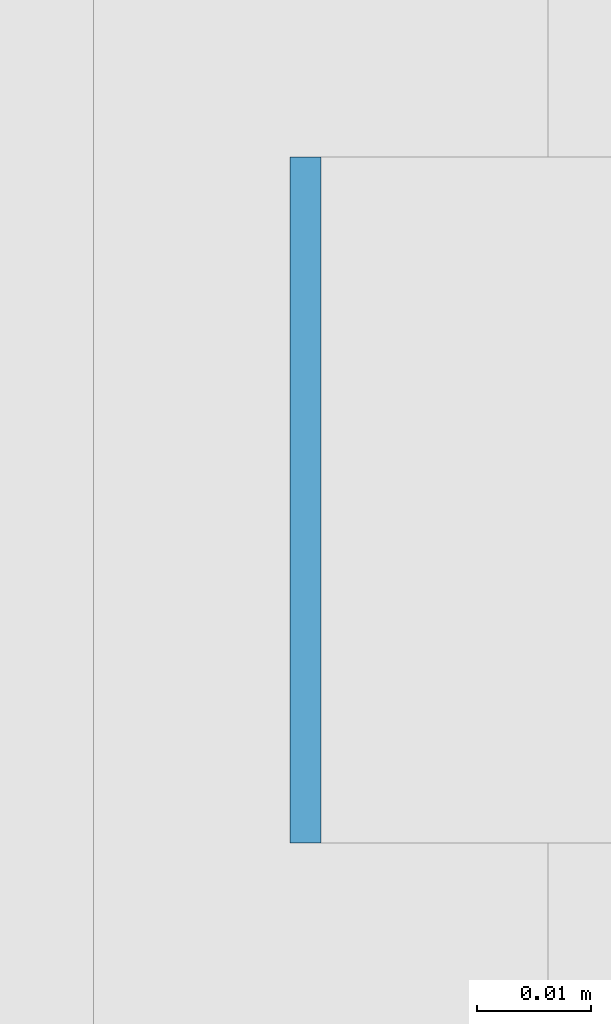
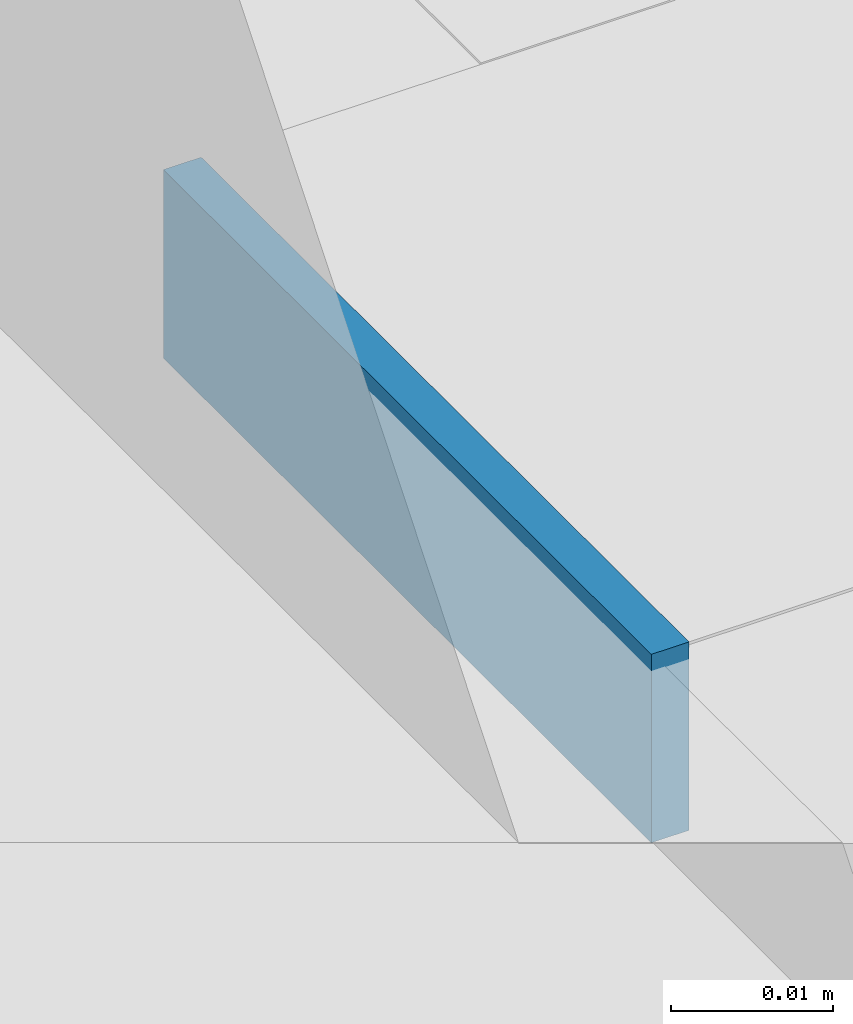
# One storey, part 473 of 646: 1 discrete accessory.
"""IFC4 building model written with IfcOpenShell, lengths in metres."""

from ifc_helpers import new_model, si_unit, direction, frame, origin, origin_2d, place, context, subcontext, project, spatial, rectangle, extrude, material, type_object, element, save


model = new_model("IFC4")

# Units and contexts
model_context = context("Model", 3, precision=1e-05, world=origin(), true_north=direction((0.0, 1.0)))
body_context = subcontext(model_context, "Body", "Model", "MODEL_VIEW")
ifc_project = project(units=[si_unit("LENGTHUNIT", "METRE"), si_unit("AREAUNIT", "SQUARE_METRE"), si_unit("VOLUMEUNIT", "CUBIC_METRE"), si_unit("PLANEANGLEUNIT", "RADIAN"), si_unit("MASSUNIT", "GRAM", prefix="KILO")], contexts=[model_context])

# Site, building, storey
site_placement = place(None, origin())
site = spatial("IfcSite", under=ifc_project, at=site_placement, CompositionType="ELEMENT")
building_placement = place(site_placement, origin())
building = spatial("IfcBuilding", under=site, at=building_placement, Name="Silverbay Arena", CompositionType="ELEMENT")
storey_placement = place(building_placement, frame((0.0, 0.0, 33.5)))
storey = spatial("IfcBuildingStorey", under=building, at=storey_placement, Name="L05", CompositionType="ELEMENT", Elevation=33.5)

# Discrete accessory
ifc_material = material(Name="Steel S355", Category="steel")
discrete_accessory_type = type_object("IfcDiscreteAccessoryType", Name="Steel bracket plate", PredefinedType="BRACKET", material=ifc_material)
discrete_accessory_placement = place(storey_placement, frame((207.128662109375, 52.71435546875, 12.98583984375), z_axis=(0.0, 0.0, 1.0), x_axis=(1.0, 0.0, 0.0)))
element("IfcDiscreteAccessory", 1, at=discrete_accessory_placement, inside=storey, type_object=discrete_accessory_type, Name="Curtain wall packing plate", PredefinedType="BRACKET", context=body_context, shape_type="SweptSolid", body=[
    extrude(rectangle(XDim=0.002685546875, YDim=0.06005859375, at=origin_2d()), origin(), (0.0, 0.0, 1.0), 0.01416015625),
])

save(model, "model.ifc")
